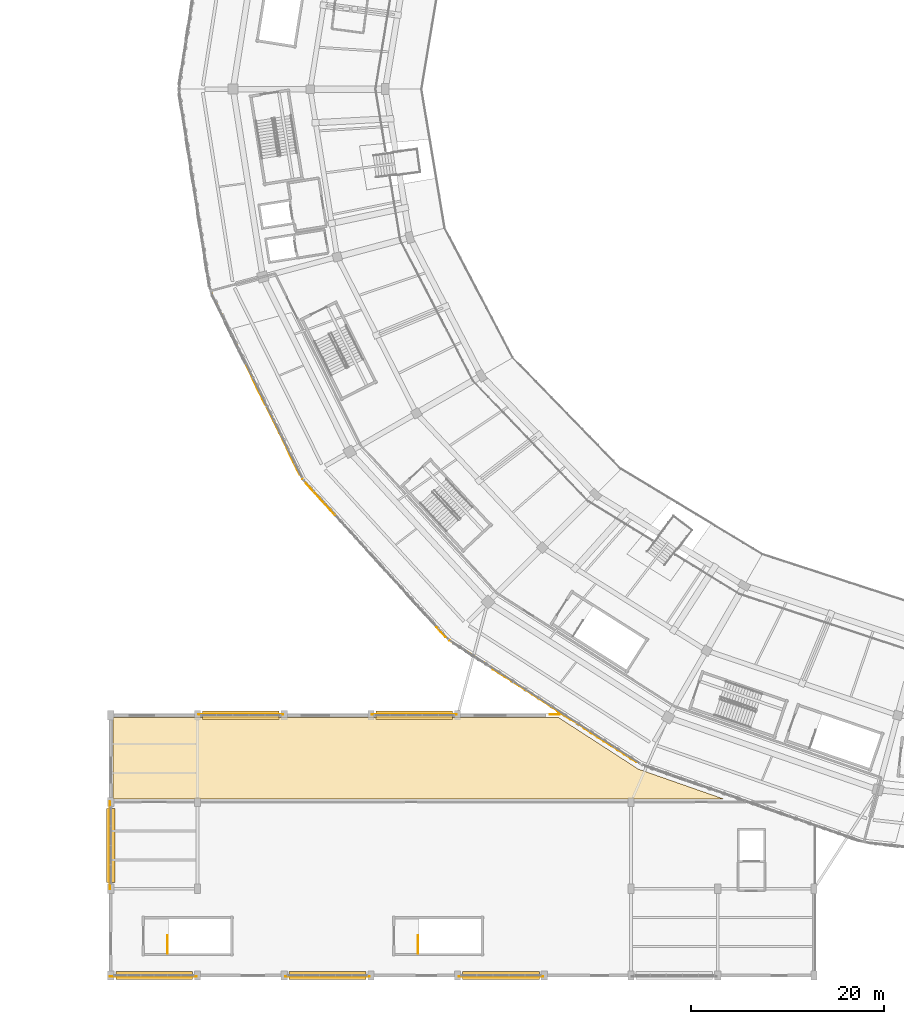
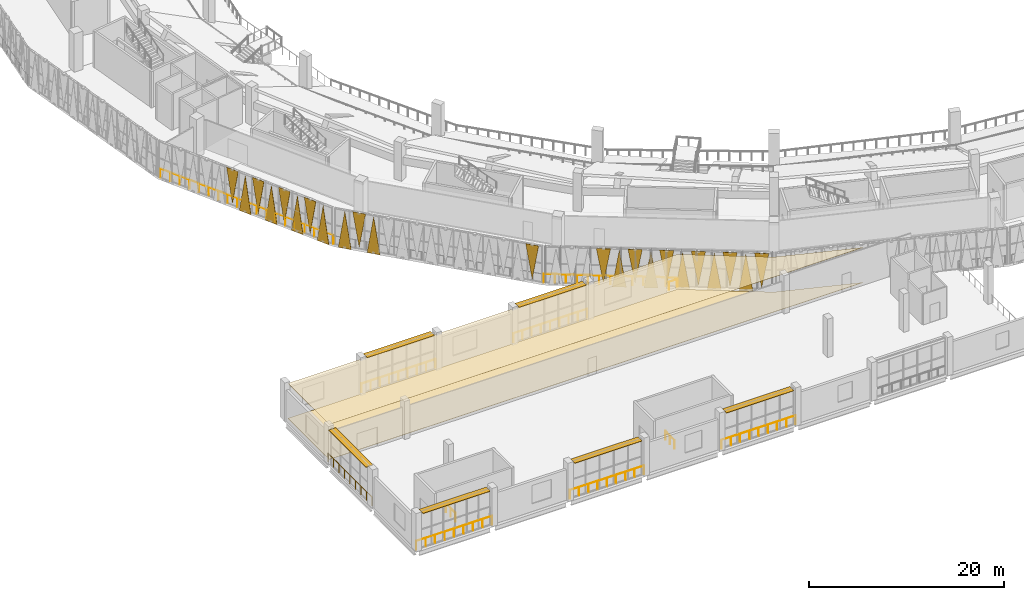
# One storey, part 111 of 152: 25 coverings, 11 railings, 6 shading devices.
"""IFC4 building model written with IfcOpenShell, lengths in metres."""

import ifcopenshell
import ifcopenshell.guid

model = None  # the IFC model being written
_history = None  # IfcOwnerHistory: only IFC2X3 demands one
_inside = {}  # id of a spatial element -> (the spatial element, [elements in it])
_under = {}  # id of a project, library or spatial element -> (it, [spatial elements below it])
_declared = {}  # id of a project -> (the project, [libraries it declares])
_typed = {}  # id of a type object -> (the type object, [elements of that type])
_made_of = {}  # id of a material, layer set ... -> (it, [elements and type objects made of it])


def new_model(schema):
    """Start an empty IFC model of exactly this schema.

    Asked for "IFC4X3", IfcOpenShell would pick the latest addendum, in which some entities
    have other attributes; the version numbers below select the first issue.
    IFC2X3 requires an IfcOwnerHistory on every rooted entity: one is made here for all.
    """
    global model, _history
    if schema == "IFC4X3":
        model = ifcopenshell.file(schema_version=(4, 3, 0, 0))
    else:
        model = ifcopenshell.file(schema=schema)
    _inside.clear()
    _under.clear()
    _declared.clear()
    _typed.clear()
    _made_of.clear()
    _history = None
    if model.schema == "IFC2X3":
        org = make("IfcOrganization", Name="unknown")
        user = make(
            "IfcPersonAndOrganization",
            ThePerson=make("IfcPerson", FamilyName="unknown"),
            TheOrganization=org,
        )
        app = make(
            "IfcApplication",
            ApplicationDeveloper=org,
            Version="unknown",
            ApplicationFullName="unknown",
            ApplicationIdentifier="unknown",
        )
        _history = make(
            "IfcOwnerHistory",
            OwningUser=user,
            OwningApplication=app,
            ChangeAction="ADDED",
            CreationDate=0,
        )
    return model


def make(cls, **values):
    """One entity of the class cls with the attributes given. An attribute that is None is left unset."""
    return model.create_entity(
        cls, **{name: value for name, value in values.items() if value is not None}
    )


def rooted(cls, **values):
    """An entity with a GlobalId (a new one), such as an element, a storey or a relation."""
    return make(cls, GlobalId=ifcopenshell.guid.new(), OwnerHistory=_history, **values)


def si_unit(unit_type, name, prefix=None):
    """IfcSIUnit, for example si_unit("LENGTHUNIT", "METRE", prefix="MILLI")."""
    return make("IfcSIUnit", UnitType=unit_type, Prefix=prefix, Name=name)


def assignment(units):
    """IfcUnitAssignment: the units of a project."""
    return None if units is None else make("IfcUnitAssignment", Units=units)


def point(xyz):
    """IfcCartesianPoint."""
    return None if xyz is None else make("IfcCartesianPoint", Coordinates=xyz)


def direction(xyz):
    """IfcDirection."""
    return None if xyz is None else make("IfcDirection", DirectionRatios=xyz)


def frame(location, z_axis=None, x_axis=None):
    """IfcAxis2Placement3D, a coordinate frame: its origin and axes. An axis left out is left unset."""
    return make(
        "IfcAxis2Placement3D",
        Location=point(location),
        Axis=direction(z_axis),
        RefDirection=direction(x_axis),
    )


def frame_2d(location, x_axis=None):
    """IfcAxis2Placement2D, a coordinate frame in the plane: its origin and x axis."""
    return make(
        "IfcAxis2Placement2D", Location=point(location), RefDirection=direction(x_axis)
    )


def origin():
    """The frame at (0, 0, 0) with its axes left unset."""
    return frame((0.0, 0.0, 0.0))


def origin_2d():
    """The frame at (0, 0) in the plane with its x axis left unset."""
    return frame_2d((0.0, 0.0))


def place(relative_to, where):
    """IfcLocalPlacement: puts the frame where relative to a parent placement (None: the world)."""
    return make(
        "IfcLocalPlacement", PlacementRelTo=relative_to, RelativePlacement=where
    )


def context(
    kind, dimensions, precision=None, world=None, true_north=None, identifier=None
):
    """IfcGeometricRepresentationContext, for example the 3D "Model" context."""
    return make(
        "IfcGeometricRepresentationContext",
        ContextIdentifier=identifier,
        ContextType=kind,
        CoordinateSpaceDimension=dimensions,
        Precision=precision,
        WorldCoordinateSystem=world,
        TrueNorth=true_north,
    )


def subcontext(parent, identifier, kind, view, scale=None):
    """IfcGeometricRepresentationSubContext, for example "Body" below "Model"."""
    return make(
        "IfcGeometricRepresentationSubContext",
        ContextIdentifier=identifier,
        ContextType=kind,
        ParentContext=parent,
        TargetScale=scale,
        TargetView=view,
    )


def project(units=None, contexts=None):
    """IfcProject with its units and contexts."""
    return rooted(
        "IfcProject",
        Name="project",
        RepresentationContexts=contexts,
        UnitsInContext=assignment(units),
    )


def spatial(cls, under=None, at=None, **own):
    """A site, building, storey or space (cls), placed at a placement, below another one or the project."""
    s = rooted(cls, ObjectPlacement=at, **own)
    if under is not None:
        _under.setdefault(under.id(), (under, []))[1].append(s)
    return s


def polyline(points):
    """IfcPolyline through the points."""
    return make("IfcPolyline", Points=[point(p) for p in points])


def profile(cls, at=None, kind="AREA", **sizes):
    """A parametric profile (cls). Its sizes go by their IFC names, for example OverallWidth=200.0."""
    return make(cls, ProfileType=kind, Position=at, **sizes)


def rectangle(**sizes):
    """IfcRectangleProfileDef."""
    return profile("IfcRectangleProfileDef", **sizes)


def circle(**sizes):
    """IfcCircleProfileDef."""
    return profile("IfcCircleProfileDef", **sizes)


def outline(outer, holes=None, kind="AREA"):
    """IfcArbitraryClosedProfileDef: a profile drawn as a closed curve; with holes, ...WithVoids."""
    if holes is None:
        return make("IfcArbitraryClosedProfileDef", ProfileType=kind, OuterCurve=outer)
    return make(
        "IfcArbitraryProfileDefWithVoids",
        ProfileType=kind,
        OuterCurve=outer,
        InnerCurves=holes,
    )


def extrude(swept, where, along, depth):
    """IfcExtrudedAreaSolid: the profile swept, set in the frame where, extruded along a direction by depth."""
    return make(
        "IfcExtrudedAreaSolid",
        SweptArea=swept,
        Position=where,
        ExtrudedDirection=direction(along),
        Depth=depth,
    )


def shape(context_of_items, identifier, shape_type, items):
    """IfcShapeRepresentation: the items that make up one representation, for example the "Body"."""
    return make(
        "IfcShapeRepresentation",
        ContextOfItems=context_of_items,
        RepresentationIdentifier=identifier,
        RepresentationType=shape_type,
        Items=items,
    )


def material(Name=None, Category=None):
    """IfcMaterial."""
    return make("IfcMaterial", Name=Name, Category=Category)


def layer(
    of_material, thickness, ventilated=None, Name=None, Category=None, Priority=None
):
    """IfcMaterialLayer: one layer of a wall or slab, of a material (None: an air gap)."""
    return make(
        "IfcMaterialLayer",
        Material=of_material,
        LayerThickness=thickness,
        IsVentilated=ventilated,
        Name=Name,
        Category=Category,
        Priority=Priority,
    )


def layer_set(layers, Name=None):
    """IfcMaterialLayerSet."""
    return make("IfcMaterialLayerSet", MaterialLayers=layers, LayerSetName=Name)


def made_of(thing, what):
    """Note that an element or type object is made of a material, layer set ...; save() writes the relation."""
    if what is not None:
        _made_of.setdefault(what.id(), (what, []))[1].append(thing)
    return thing


def type_object(cls, material=None, **own):
    """A type object (cls), such as IfcWallType, which elements share."""
    return made_of(rooted(cls, **own), material)


def element(
    cls,
    number,
    at=None,
    inside=None,
    cuts=None,
    type_object=None,
    material=None,
    context=None,
    identifier="Body",
    shape_type=None,
    held_by="IfcProductDefinitionShape",
    body=None,
    shapes=None,
    **own,
):
    """One element of the class cls, such as IfcWall. Its Tag is "e" and its number.

    at: its placement. inside: the storey or other place that contains it. cuts: it is an
    opening in that element (IfcRelVoidsElement). A single representation is given by context,
    identifier, shape_type and body (its items); several are given by shapes. held_by: the class
    of the entity that holds the representations. save() writes the other relations.
    """
    e = rooted(cls, Tag="e%d" % number, ObjectPlacement=at, **own)
    if body is not None:
        shapes = [shape(context, identifier, shape_type, body)]
    if shapes is not None:
        e.Representation = make(held_by, Representations=shapes)
    if inside is not None:
        _inside.setdefault(inside.id(), (inside, []))[1].append(e)
    if cuts is not None:
        rooted(
            "IfcRelVoidsElement", RelatingBuildingElement=cuts, RelatedOpeningElement=e
        )
    if type_object is not None:
        _typed.setdefault(type_object.id(), (type_object, []))[1].append(e)
    return made_of(e, material)


def aggregate(whole, parts):
    """IfcRelAggregates: a whole, such as a stair, and the parts it consists of."""
    return rooted("IfcRelAggregates", RelatingObject=whole, RelatedObjects=parts)


def save(model, path):
    """Write the relations noted so far, then the file.

    IfcRelAggregates (storeys below a building ...), IfcRelContainedInSpatialStructure (elements
    in a storey), IfcRelDefinesByType, IfcRelAssociatesMaterial and IfcRelDeclares: one each for
    every whole, place, type object, material and project.
    """
    for whole, parts in _under.values():
        aggregate(whole, parts)
    for where, things in _inside.values():
        rooted(
            "IfcRelContainedInSpatialStructure",
            RelatedElements=things,
            RelatingStructure=where,
        )
    for kind, things in _typed.values():
        rooted("IfcRelDefinesByType", RelatedObjects=things, RelatingType=kind)
    for what, things in _made_of.values():
        rooted("IfcRelAssociatesMaterial", RelatedObjects=things, RelatingMaterial=what)
    for by, libraries in _declared.values():
        rooted("IfcRelDeclares", RelatingContext=by, RelatedDefinitions=libraries)
    model.write(path)


model = new_model("IFC4")

# Units and contexts
model_context = context("Model", 3, precision=1e-05, world=origin(), true_north=direction((0.0, 1.0)))
body_context = subcontext(model_context, "Body", "Model", "MODEL_VIEW")
ifc_project = project(units=[si_unit("LENGTHUNIT", "METRE"), si_unit("AREAUNIT", "SQUARE_METRE"), si_unit("VOLUMEUNIT", "CUBIC_METRE"), si_unit("PLANEANGLEUNIT", "RADIAN"), si_unit("MASSUNIT", "GRAM", prefix="KILO")], contexts=[model_context])

# Site, building, storey
site_placement = place(None, origin())
site = spatial("IfcSite", under=ifc_project, at=site_placement, CompositionType="ELEMENT")
building_placement = place(site_placement, origin())
building = spatial("IfcBuilding", under=site, at=building_placement, Name="Zevraka Park Crest Stadium", CompositionType="ELEMENT")
storey_placement = place(building_placement, frame((0.0, 0.0, 15.0)))
storey = spatial("IfcBuildingStorey", under=building, at=storey_placement, Name="L03", CompositionType="ELEMENT", Elevation=15.0)

# Coverings
ifc_material_1 = material(Name="Architectural golden-bronze perforated aluminium", Category="aluminium")
ifc_layer_1 = layer(ifc_material_1, 0.034912109375)
ifc_layer_set_1 = layer_set([ifc_layer_1], Name="Architectural golden-bronze perforated aluminium")
covering_type_1 = type_object("IfcCoveringType", Name="CLD01", PredefinedType="CLADDING", material=ifc_layer_set_1)
covering_1_placement = place(storey_placement, frame((23.677978515625, 62.06005859375, 4.52001953125), z_axis=(-0.897581304025, -0.440848949962, 7.7343744e-05), x_axis=(-0.440848951281, 0.89758130671, 0.0)))
element("IfcCovering", 1, at=covering_1_placement, inside=storey, type_object=covering_type_1, Name="Triangular Golden-Bronze Perforated Cladding L03-13-6", PredefinedType="CLADDING", context=body_context, shape_type="SweptSolid", body=[
    extrude(outline(polyline([(0.0, 0.0), (1.4448551794759075, 0.0), (0.7231349347066114, 4.300048840986565), (0.0, 0.0)])), origin(), (0.0, 0.0, -1.0), 0.034912109375),
])
covering_2_placement = place(storey_placement, frame((23.748046875, 61.916015625, -0.260009765625), z_axis=(0.897449823133, 0.441116538913, 0.000118559742), x_axis=(0.441116542014, -0.89744982944, 0.0)))
element("IfcCovering", 2, at=covering_2_placement, inside=storey, type_object=covering_type_1, Name="Triangular Golden-Bronze Perforated Cladding L03-13-7", PredefinedType="CLADDING", context=body_context, shape_type="SweptSolid", body=[
    extrude(outline(polyline([(0.0, 0.0), (1.4439786994094814, 0.0), (0.7217201135340781, -4.620117219971137), (0.0, 0.0)])), origin(), (0.0, 0.0, -1.0), 0.034912109375),
])
covering_3_placement = place(storey_placement, frame((25.092041015625, 59.178955078125, 4.52001953125), z_axis=(0.897614138564, 0.440782098158, 1.3879859e-05), x_axis=(-0.440782098201, 0.897614138651, 0.0)))
element("IfcCovering", 3, at=covering_3_placement, inside=storey, type_object=covering_type_1, Name="Triangular Golden-Bronze Perforated Cladding L03-13-8", PredefinedType="CLADDING", context=body_context, shape_type="SweptSolid", body=[
    extrude(outline(polyline([(0.0, 0.0), (1.4450743195452247, 0.0), (0.7218278803551496, -4.300048828539204), (0.0, 0.0)])), origin(), (0.0, 0.0, -1.0), 0.034912109375),
])
covering_4_placement = place(storey_placement, frame((25.1630859375, 59.034912109375, -0.260009765625), z_axis=(-0.897848668856, -0.440304175898, 2.2811457e-05), x_axis=(0.440304176012, -0.89784866909, 0.0)))
element("IfcCovering", 4, at=covering_4_placement, inside=storey, type_object=covering_type_1, Name="Triangular Golden-Bronze Perforated Cladding L03-13-9", PredefinedType="CLADDING", context=body_context, shape_type="SweptSolid", body=[
    extrude(outline(polyline([(0.0, 0.0), (1.4444249288858595, -1.6940658945086007e-21), (0.7217203137041149, 4.620117188702069), (0.0, 0.0)])), origin(), (0.0, 0.0, -1.0), 0.034912109375),
])
covering_5_placement = place(storey_placement, frame((26.507080078125, 56.298095703125, 4.52001953125), z_axis=(-0.897581292576, -0.440848944339, 0.000177462733), x_axis=(-0.440848951281, 0.89758130671, 0.0)))
element("IfcCovering", 5, at=covering_5_placement, inside=storey, type_object=covering_type_1, Name="Triangular Golden-Bronze Perforated Cladding L03-13-10", PredefinedType="CLADDING", context=body_context, shape_type="SweptSolid", body=[
    extrude(outline(polyline([(0.0, 0.0), (1.4448551794759072, 1.3552527156068805e-20), (0.7222583904617778, 4.300048895835768), (0.0, 0.0)])), origin(), (0.0, 0.0, -1.0), 0.034912109375),
])
covering_6_placement = place(storey_placement, frame((26.576904296875, 56.154052734375, -0.260009765625), z_axis=(-0.897547278624, -0.440918200115, 0.00015310664), x_axis=(0.440918205283, -0.897547289144, 0.0)))
element("IfcCovering", 6, at=covering_6_placement, inside=storey, type_object=covering_type_1, Name="Triangular Golden-Bronze Perforated Cladding L03-13-11", PredefinedType="CLADDING", context=body_context, shape_type="SweptSolid", body=[
    extrude(outline(polyline([(0.0, 0.0), (1.4451819489774211, 1.3552527156068805e-20), (0.7222584471907869, 4.62011724165157), (0.0, 0.0)])), origin(), (0.0, 0.0, -1.0), 0.034912109375),
])
covering_7_placement = place(storey_placement, frame((27.9208984375, 53.416015625, 4.52001953125), z_axis=(0.897581292576, 0.440848944339, 0.000177462733), x_axis=(-0.440848951281, 0.89758130671, 0.0)))
element("IfcCovering", 7, at=covering_7_placement, inside=storey, type_object=covering_type_1, Name="Triangular Golden-Bronze Perforated Cladding L03-13-12", PredefinedType="CLADDING", context=body_context, shape_type="SweptSolid", body=[
    extrude(outline(polyline([(0.0, 0.0), (1.4448551794759072, 1.3552527156068805e-20), (0.7225967890141295, -4.300048895835768), (0.0, 0.0)])), origin(), (0.0, 0.0, -1.0), 0.034912109375),
])
covering_8_placement = place(storey_placement, frame((27.991943359375, 53.27294921875, -0.260009765625), z_axis=(0.897848668856, 0.440304175898, 2.2811457e-05), x_axis=(0.440304176012, -0.89784866909, 0.0)))
element("IfcCovering", 8, at=covering_8_placement, inside=storey, type_object=covering_type_1, Name="Triangular Golden-Bronze Perforated Cladding L03-13-13", PredefinedType="CLADDING", context=body_context, shape_type="SweptSolid", body=[
    extrude(outline(polyline([(0.0, 0.0), (1.4444249288858595, -1.6940658945086007e-21), (0.7227046151817446, -4.620117188702069), (0.0, 0.0)])), origin(), (0.0, 0.0, -1.0), 0.034912109375),
])
covering_9_placement = place(storey_placement, frame((29.218994140625, 51.10791015625, -0.260009765625), z_axis=(-0.740003442257, -0.672603081417, 1.7771166e-05), x_axis=(0.672603081524, -0.740003442374, 0.0)))
element("IfcCovering", 9, at=covering_9_placement, inside=storey, type_object=covering_type_1, Name="Triangular Golden-Bronze Perforated Cladding L03-14-1", PredefinedType="CLADDING", context=body_context, shape_type="SweptSolid", body=[
    extrude(outline(polyline([(0.0, 0.0), (1.394564353058445, 0.0), (0.6971918440777609, 4.620117188229551), (0.0, 0.0)])), origin(), (0.0, 0.0, -1.0), 0.034912109375),
])
covering_10_placement = place(storey_placement, frame((31.2041015625, 48.925048828125, 4.52001953125), z_axis=(-0.73956786161, -0.67308198808, 0.000124082249), x_axis=(-0.673081993261, 0.739567867303, 0.0)))
element("IfcCovering", 10, at=covering_10_placement, inside=storey, type_object=covering_type_1, Name="Triangular Golden-Bronze Perforated Cladding L03-14-2", PredefinedType="CLADDING", context=body_context, shape_type="SweptSolid", body=[
    extrude(outline(polyline([(0.0, 0.0), (1.3953856941325256, 0.0), (0.6980133844318637, 4.300048861227647), (0.0, 0.0)])), origin(), (0.0, 0.0, -1.0), 0.034912109375),
])
covering_11_placement = place(storey_placement, frame((31.31201171875, 48.805908203125, -0.260009765625), z_axis=(-0.740003442257, -0.672603081417, 1.7771166e-05), x_axis=(0.672603081524, -0.740003442374, 0.0)))
element("IfcCovering", 11, at=covering_11_placement, inside=storey, type_object=covering_type_1, Name="Triangular Golden-Bronze Perforated Cladding L03-14-3", PredefinedType="CLADDING", context=body_context, shape_type="SweptSolid", body=[
    extrude(outline(polyline([(0.0, 0.0), (1.394564353058445, 0.0), (0.6971918440777609, 4.620117188229551), (0.0, 0.0)])), origin(), (0.0, 0.0, -1.0), 0.034912109375),
])
covering_12_placement = place(storey_placement, frame((43.760986328125, 35.115966796875, 4.52001953125), z_axis=(0.740003442239, 0.672603081401, 1.9093939e-05), x_axis=(-0.672603081524, 0.740003442374, 0.0)))
element("IfcCovering", 12, at=covering_12_placement, inside=storey, type_object=covering_type_1, Name="Triangular Golden-Bronze Perforated Cladding L03-14-14", PredefinedType="CLADDING", context=body_context, shape_type="SweptSolid", body=[
    extrude(outline(polyline([(0.0, 0.0), (1.394564353058445, 1.6940658945086007e-21), (0.6973725089806841, -4.300048828908853), (0.0, 0.0)])), origin(), (0.0, 0.0, -1.0), 0.034912109375),
])
covering_13_placement = place(storey_placement, frame((49.89306640625, 30.985107421875, 4.52001953125), z_axis=(0.543051202429, 0.839699576796, 0.000110766182), x_axis=(-0.839699581947, 0.543051205761, 0.0)))
element("IfcCovering", 13, at=covering_13_placement, inside=storey, type_object=covering_type_1, Name="Triangular Golden-Bronze Perforated Cladding L03-15-4", PredefinedType="CLADDING", context=body_context, shape_type="SweptSolid", body=[
    extrude(outline(polyline([(0.0, 0.0), (1.4674030580295612, 0.0), (0.7338641883459691, -4.300048854503966), (0.0, 0.0)])), origin(), (0.0, 0.0, -1.0), 0.034912109375),
])
covering_14_placement = place(storey_placement, frame((50.028076171875, 30.89794921875, -0.260009765625), z_axis=(-0.543899794, -0.839150171771, 5.748254e-05), x_axis=(0.839150173157, -0.543899794898, 0.0)))
element("IfcCovering", 14, at=covering_14_placement, inside=storey, type_object=covering_type_1, Name="Triangular Golden-Bronze Perforated Cladding L03-15-5", PredefinedType="CLADDING", context=body_context, shape_type="SweptSolid", body=[
    extrude(outline(polyline([(0.0, 0.0), (1.466909107125423, 0.0), (0.7338642948581983, 4.620117195132995), (0.0, 0.0)])), origin(), (0.0, 0.0, -1.0), 0.034912109375),
])
covering_15_placement = place(storey_placement, frame((52.6259765625, 29.216064453125, 4.52001953125), z_axis=(-0.543596081623, -0.839346948552, 0.0), x_axis=(-0.839346948552, 0.543596081623, 0.0)))
element("IfcCovering", 15, at=covering_15_placement, inside=storey, type_object=covering_type_1, Name="Triangular Golden-Bronze Perforated Cladding L03-15-6", PredefinedType="CLADDING", context=body_context, shape_type="SweptSolid", body=[
    extrude(outline(polyline([(0.0, 0.0), (1.4677286858249659, 0.0), (0.7338643429124829, 4.300048828125), (0.0, 0.0)])), origin(), (0.0, 0.0, -1.0), 0.034912109375),
])
covering_16_placement = place(storey_placement, frame((52.760009765625, 29.12890625, -0.260009765625), z_axis=(-0.543596081623, -0.839346948552, 0.0), x_axis=(0.839346948552, -0.543596081623, 0.0)))
element("IfcCovering", 16, at=covering_16_placement, inside=storey, type_object=covering_type_1, Name="Triangular Golden-Bronze Perforated Cladding L03-15-7", PredefinedType="CLADDING", context=body_context, shape_type="SweptSolid", body=[
    extrude(outline(polyline([(0.0, 0.0), (1.4677286858249659, 0.0), (0.7338643429124829, 4.620117187499999), (0.0, 0.0)])), origin(), (0.0, 0.0, -1.0), 0.034912109375),
])
covering_17_placement = place(storey_placement, frame((55.35791015625, 27.447021484375, 4.52001953125), z_axis=(-0.543713251999, -0.839271052183, 2.3825329e-05), x_axis=(-0.839271052422, 0.543713252153, 0.0)))
element("IfcCovering", 17, at=covering_17_placement, inside=storey, type_object=covering_type_1, Name="Triangular Golden-Bronze Perforated Cladding L03-15-8", PredefinedType="CLADDING", context=body_context, shape_type="SweptSolid", body=[
    extrude(outline(polyline([(0.0, 0.0), (1.4678614140157709, 0.0), (0.7338643357612846, 4.300048829345455), (0.0, 0.0)])), origin(), (0.0, 0.0, -1.0), 0.034912109375),
])
covering_18_placement = place(storey_placement, frame((55.491943359375, 27.360107421875, -0.260009765625), z_axis=(0.543637362716, 0.839320210959, 3.6539779e-05), x_axis=(0.839320211519, -0.543637363078, 0.0)))
element("IfcCovering", 18, at=covering_18_placement, inside=storey, type_object=covering_type_1, Name="Triangular Golden-Bronze Perforated Cladding L03-15-9", PredefinedType="CLADDING", context=body_context, shape_type="SweptSolid", body=[
    extrude(outline(polyline([(0.0, 0.0), (1.4680663201763386, 3.3881317890172014e-21), (0.7339970659904592, -4.6201171905842875), (0.0, 0.0)])), origin(), (0.0, 0.0, -1.0), 0.034912109375),
])
covering_19_placement = place(storey_placement, frame((58.090087890625, 25.677978515625, 4.52001953125), z_axis=(-0.543941018509, -0.839123449477, 7.0145532e-05), x_axis=(-0.839123451542, 0.543941019847, 0.0)))
element("IfcCovering", 19, at=covering_19_placement, inside=storey, type_object=covering_type_1, Name="Triangular Golden-Bronze Perforated Cladding L03-15-10", PredefinedType="CLADDING", context=body_context, shape_type="SweptSolid", body=[
    extrude(outline(polyline([(0.0, 0.0), (1.4672467675796603, 6.776263578034403e-21), (0.7338642809254232, 4.30004883870397), (0.0, 0.0)])), origin(), (0.0, 0.0, -1.0), 0.034912109375),
])
covering_20_placement = place(storey_placement, frame((58.22509765625, 25.591064453125, -0.260009765625), z_axis=(0.543244375941, 0.839574615926, 0.000110914), x_axis=(0.83957462109, -0.543244379282, 0.0)))
element("IfcCovering", 20, at=covering_20_placement, inside=storey, type_object=covering_type_1, Name="Triangular Golden-Bronze Perforated Cladding L03-15-11", PredefinedType="CLADDING", context=body_context, shape_type="SweptSolid", body=[
    extrude(outline(polyline([(0.0, 0.0), (1.4673306729433993, 0.0), (0.7339969065274139, -4.620117215918146), (0.0, 0.0)])), origin(), (0.0, 0.0, -1.0), 0.034912109375),
])
covering_21_placement = place(storey_placement, frame((60.822998046875, 23.908935546875, 4.52001953125), z_axis=(0.543713251999, 0.839271052183, 2.3825329e-05), x_axis=(-0.839271052422, 0.543713252153, 0.0)))
element("IfcCovering", 21, at=covering_21_placement, inside=storey, type_object=covering_type_1, Name="Triangular Golden-Bronze Perforated Cladding L03-15-12", PredefinedType="CLADDING", context=body_context, shape_type="SweptSolid", body=[
    extrude(outline(polyline([(0.0, 0.0), (1.4678614140157709, 0.0), (0.7339970782544862, -4.300048829345455), (0.0, 0.0)])), origin(), (0.0, 0.0, -1.0), 0.034912109375),
])
covering_22_placement = place(storey_placement, frame((60.95703125, 23.822021484375, -0.260009765625), z_axis=(0.543244378079, 0.839574619231, 6.65484e-05), x_axis=(0.83957462109, -0.543244379282, 0.0)))
element("IfcCovering", 22, at=covering_22_placement, inside=storey, type_object=covering_type_1, Name="Triangular Golden-Bronze Perforated Cladding L03-15-13", PredefinedType="CLADDING", context=body_context, shape_type="SweptSolid", body=[
    extrude(outline(polyline([(0.0, 0.0), (1.4673306729433993, 6.776263578034403e-21), (0.7338642785051281, -4.620117197730533), (0.0, 0.0)])), origin(), (0.0, 0.0, -1.0), 0.034912109375),
])
covering_23_placement = place(storey_placement, frame((63.554931640625, 22.139892578125, 4.52001953125), z_axis=(0.543713251999, 0.839271052183, 2.3825329e-05), x_axis=(-0.839271052422, 0.543713252153, 0.0)))
element("IfcCovering", 23, at=covering_23_placement, inside=storey, type_object=covering_type_1, Name="Triangular Golden-Bronze Perforated Cladding L03-15-14", PredefinedType="CLADDING", context=body_context, shape_type="SweptSolid", body=[
    extrude(outline(polyline([(0.0, 0.0), (1.4678614140157709, 0.0), (0.7339970782544862, -4.300048829345455), (0.0, 0.0)])), origin(), (0.0, 0.0, -1.0), 0.034912109375),
])
ifc_material_2 = material(Name="Perforated acoustic mineral-fibre suspended ceiling", Category="other")
ifc_layer_2 = layer(ifc_material_2, 0.02490234375)
ifc_layer_set_2 = layer_set([ifc_layer_2], Name="Perforated acoustic mineral-fibre suspended ceiling")
covering_type_2 = type_object("IfcCoveringType", Name="CLG01", PredefinedType="CEILING", material=ifc_layer_set_2)
covering_24_placement = place(storey_placement, frame((0.0, 0.0, 4.39990234375)))
element("IfcCovering", 24, at=covering_24_placement, inside=storey, type_object=covering_type_2, Name="Acoustic Ceiling South Upper Broadcast Production Gallery L03-063", PredefinedType="CEILING", context=body_context, shape_type="SweptSolid", body=[
    extrude(outline(polyline([(9.205078125, 26.794921875), (55.43701171875, 26.794921875), (63.72802734375, 21.431884765625), (63.7490234375, 21.419921875), (63.77099609375, 21.410888671875), (72.572021484375, 18.327880859375), (9.205078125, 18.300048828125), (9.205078125, 26.794921875)])), origin(), (0.0, 0.0, 1.0), 0.025146484375),
])
ifc_material_3 = material(Name="Honed terrazzo and slip-resistant sports flooring", Category="other")
ifc_layer_3 = layer(ifc_material_3, 0.0400390625)
ifc_layer_set_3 = layer_set([ifc_layer_3], Name="Honed terrazzo and slip-resistant sports flooring")
covering_type_3 = type_object("IfcCoveringType", Name="FLR01", PredefinedType="FLOORING", material=ifc_layer_set_3)
covering_25_placement = place(storey_placement, origin())
element("IfcCovering", 25, at=covering_25_placement, inside=storey, type_object=covering_type_3, Name="Terrazzo Floor Finish South Upper Broadcast Production Gallery L03-063", PredefinedType="FLOORING", context=body_context, shape_type="SweptSolid", body=[
    extrude(outline(polyline([(9.205078125, 26.794921875), (55.43701171875, 26.794921875), (63.72802734375, 21.431884765625), (63.7490234375, 21.419921875), (63.77099609375, 21.410888671875), (72.572021484375, 18.327880859375), (9.205078125, 18.300048828125), (9.205078125, 26.794921875)])), origin(), (0.0, 0.0, 1.0), 0.0400390625),
])

# Railings
ifc_material_4 = material(Name="Galvanised and bronze-finished steel balustrade", Category="steel")
railing_type_1 = type_object("IfcRailingType", Name="GR01", PredefinedType="GUARDRAIL", material=ifc_material_4)
for number, where, name in (
    (26, (53.884033203125, -0.10498046875, 0.0), "Deck Edge Protection Guardrail GR01 L03-36"),
    (27, (35.884033203125, -0.10498046875, 0.0), "Deck Edge Protection Guardrail GR01 L03-37"),
):
    element("IfcRailing", number, at=place(storey_placement, frame(where)), inside=storey, type_object=railing_type_1, Name=name, PredefinedType="GUARDRAIL", context=body_context, shape_type="SweptSolid", body=[
        extrude(circle(Radius=0.02392578125, at=origin_2d()), frame((0.0, 0.0, 1.076171875), z_axis=(-1.0, 0.0, 0.0), x_axis=(0.0, -1.0, 0.0)), (0.0, 0.0, 1.0), 8.76806640625),
        extrude(circle(Radius=0.02099609375, at=origin_2d()), origin(), (0.0, 0.0, 1.0), 1.052001953125),
        extrude(circle(Radius=0.02099609375, at=origin_2d()), frame((-1.095947265625, 0.0, 0.0)), (0.0, 0.0, 1.0), 1.052001953125),
        extrude(circle(Radius=0.02099609375, at=origin_2d()), frame((-2.19189453125, 0.0, 0.0)), (0.0, 0.0, 1.0), 1.052001953125),
        extrude(circle(Radius=0.02099609375, at=origin_2d()), frame((-3.2880859375, 0.0, 0.0)), (0.0, 0.0, 1.0), 1.052001953125),
        extrude(circle(Radius=0.02099609375, at=origin_2d()), frame((-4.384033203125, 0.0, 0.0)), (0.0, 0.0, 1.0), 1.052001953125),
        extrude(circle(Radius=0.02099609375, at=origin_2d()), frame((-5.47998046875, 0.0, 0.0)), (0.0, 0.0, 1.0), 1.052001953125),
        extrude(circle(Radius=0.02099609375, at=origin_2d()), frame((-6.576171875, 0.0, 0.0)), (0.0, 0.0, 1.0), 1.052001953125),
        extrude(circle(Radius=0.02099609375, at=origin_2d()), frame((-7.672119140625, 0.0, 0.0)), (0.0, 0.0, 1.0), 1.052001953125),
        extrude(circle(Radius=0.02099609375, at=origin_2d()), frame((-8.76806640625, 0.0, 0.0)), (0.0, 0.0, 1.0), 1.052001953125),
    ])
railing_1_placement = place(storey_placement, frame((17.884033203125, -0.10498046875, 0.0)))
element("IfcRailing", 28, at=railing_1_placement, inside=storey, type_object=railing_type_1, Name="Deck Edge Protection Guardrail GR01 L03-38", PredefinedType="GUARDRAIL", context=body_context, shape_type="SweptSolid", body=[
    extrude(circle(Radius=0.02392578125, at=origin_2d()), frame((0.0, 0.0, 1.076171875), z_axis=(-1.0, 0.0, 0.0), x_axis=(0.0, -1.0, 0.0)), (0.0, 0.0, 1.0), 8.989013671875),
    extrude(circle(Radius=0.02099609375, at=origin_2d()), origin(), (0.0, 0.0, 1.0), 1.052001953125),
    extrude(circle(Radius=0.02099609375, at=origin_2d()), frame((-1.12353515625, 0.0, 0.0)), (0.0, 0.0, 1.0), 1.052001953125),
    extrude(circle(Radius=0.02099609375, at=origin_2d()), frame((-2.247314453125, 0.0, 0.0)), (0.0, 0.0, 1.0), 1.052001953125),
    extrude(circle(Radius=0.02099609375, at=origin_2d()), frame((-3.370849609375, 0.0, 0.0)), (0.0, 0.0, 1.0), 1.052001953125),
    extrude(circle(Radius=0.02099609375, at=origin_2d()), frame((-4.49462890625, 0.0, 0.0)), (0.0, 0.0, 1.0), 1.052001953125),
    extrude(circle(Radius=0.02099609375, at=origin_2d()), frame((-5.6181640625, 0.0, 0.0)), (0.0, 0.0, 1.0), 1.052001953125),
    extrude(circle(Radius=0.02099609375, at=origin_2d()), frame((-6.74169921875, 0.0, 0.0)), (0.0, 0.0, 1.0), 1.052001953125),
    extrude(circle(Radius=0.02099609375, at=origin_2d()), frame((-7.865478515625, 0.0, 0.0)), (0.0, 0.0, 1.0), 1.052001953125),
    extrude(circle(Radius=0.02099609375, at=origin_2d()), frame((-8.989013671875, 0.0, 0.0)), (0.0, 0.0, 1.0), 1.052001953125),
])
railing_2_placement = place(storey_placement, frame((8.89501953125, 8.966064453125, 0.0)))
element("IfcRailing", 29, at=railing_2_placement, inside=storey, type_object=railing_type_1, Name="Deck Edge Protection Guardrail GR01 L03-39", PredefinedType="GUARDRAIL", context=body_context, shape_type="SweptSolid", body=[
    extrude(circle(Radius=0.02392578125, at=origin_2d()), frame((0.0, 0.0, 1.076171875), z_axis=(0.0, 1.0, 0.0), x_axis=(-1.0, 0.0, 0.0)), (0.0, 0.0, 1.0), 9.06787109375),
    extrude(circle(Radius=0.02099609375, at=origin_2d()), origin(), (0.0, 0.0, 1.0), 1.052001953125),
    extrude(circle(Radius=0.02099609375, at=origin_2d()), frame((0.0, 1.133544921875, 0.0)), (0.0, 0.0, 1.0), 1.052001953125),
    extrude(circle(Radius=0.02099609375, at=origin_2d()), frame((0.0, 2.26708984375, 0.0)), (0.0, 0.0, 1.0), 1.052001953125),
    extrude(circle(Radius=0.02099609375, at=origin_2d()), frame((0.0, 3.400390625, 0.0)), (0.0, 0.0, 1.0), 1.052001953125),
    extrude(circle(Radius=0.02099609375, at=origin_2d()), frame((0.0, 4.533935546875, 0.0)), (0.0, 0.0, 1.0), 1.052001953125),
    extrude(circle(Radius=0.02099609375, at=origin_2d()), frame((0.0, 5.66748046875, 0.0)), (0.0, 0.0, 1.0), 1.052001953125),
    extrude(circle(Radius=0.02099609375, at=origin_2d()), frame((0.0, 6.80078125, 0.0)), (0.0, 0.0, 1.0), 1.052001953125),
    extrude(circle(Radius=0.02099609375, at=origin_2d()), frame((0.0, 7.934326171875, 0.0)), (0.0, 0.0, 1.0), 1.052001953125),
    extrude(circle(Radius=0.02099609375, at=origin_2d()), frame((0.0, 9.06787109375, 0.0)), (0.0, 0.0, 1.0), 1.052001953125),
])
for number, where, name in (
    (30, (18.115966796875, 27.10498046875, 0.0), "Deck Edge Protection Guardrail GR01 L03-40"),
    (31, (36.115966796875, 27.10498046875, 0.0), "Deck Edge Protection Guardrail GR01 L03-41"),
):
    element("IfcRailing", number, at=place(storey_placement, frame(where)), inside=storey, type_object=railing_type_1, Name=name, PredefinedType="GUARDRAIL", context=body_context, shape_type="SweptSolid", body=[
        extrude(circle(Radius=0.02392578125, at=origin_2d()), frame((0.0, 0.0, 1.076171875), z_axis=(1.0, 0.0, 0.0), x_axis=(0.0, 1.0, 0.0)), (0.0, 0.0, 1.0), 8.76806640625),
        extrude(circle(Radius=0.02099609375, at=origin_2d()), origin(), (0.0, 0.0, 1.0), 1.052001953125),
        extrude(circle(Radius=0.02099609375, at=origin_2d()), frame((1.095947265625, 0.0, 0.0)), (0.0, 0.0, 1.0), 1.052001953125),
        extrude(circle(Radius=0.02099609375, at=origin_2d()), frame((2.19189453125, 0.0, 0.0)), (0.0, 0.0, 1.0), 1.052001953125),
        extrude(circle(Radius=0.02099609375, at=origin_2d()), frame((3.2880859375, 0.0, 0.0)), (0.0, 0.0, 1.0), 1.052001953125),
        extrude(circle(Radius=0.02099609375, at=origin_2d()), frame((4.384033203125, 0.0, 0.0)), (0.0, 0.0, 1.0), 1.052001953125),
        extrude(circle(Radius=0.02099609375, at=origin_2d()), frame((5.47998046875, 0.0, 0.0)), (0.0, 0.0, 1.0), 1.052001953125),
        extrude(circle(Radius=0.02099609375, at=origin_2d()), frame((6.576171875, 0.0, 0.0)), (0.0, 0.0, 1.0), 1.052001953125),
        extrude(circle(Radius=0.02099609375, at=origin_2d()), frame((7.672119140625, 0.0, 0.0)), (0.0, 0.0, 1.0), 1.052001953125),
        extrude(circle(Radius=0.02099609375, at=origin_2d()), frame((8.76806640625, 0.0, 0.0)), (0.0, 0.0, 1.0), 1.052001953125),
    ])
railing_3_placement = place(storey_placement, frame((54.56591796875, 27.10498046875, 0.0)))
element("IfcRailing", 32, at=railing_3_placement, inside=storey, type_object=railing_type_1, Name="Deck Edge Protection Guardrail GR01 L03-42", PredefinedType="GUARDRAIL", context=body_context, shape_type="SweptSolid", body=[
    extrude(circle(Radius=0.02392578125, at=origin_2d()), frame((0.0, 0.0, 1.076171875), z_axis=(0.99999954627, 0.000952607332, 0.0), x_axis=(-0.000952607332, 0.99999954627, 0.0)), (0.0, 0.0, 1.0), 1.025146484375),
    extrude(circle(Radius=0.02099609375, at=origin_2d()), origin(), (0.0, 0.0, 1.0), 1.052001953125),
    extrude(circle(Radius=0.02099609375, at=origin_2d()), frame((1.025146484375, 0.0009765625, 0.0)), (0.0, 0.0, 1.0), 1.052001953125),
])
railing_4_placement = place(storey_placement, frame((55.64599609375, 27.343994140625, 0.0)))
element("IfcRailing", 33, at=railing_4_placement, inside=storey, type_object=railing_type_1, Name="Deck Edge Protection Guardrail GR01 L03-43", PredefinedType="GUARDRAIL", context=body_context, shape_type="SweptSolid", body=[
    extrude(circle(Radius=0.02392578125, at=origin_2d()), frame((0.0, 0.0, 1.076171875), z_axis=(-0.839416887497, 0.543488076213, 0.0), x_axis=(-0.543488076213, -0.839416887497, 0.0)), (0.0, 0.0, 1.0), 13.678466796875),
    extrude(circle(Radius=0.02099609375, at=origin_2d()), origin(), (0.0, 0.0, 1.0), 1.052001953125),
    extrude(circle(Radius=0.02099609375, at=origin_2d()), frame((-0.956787109375, 0.61962890625, 0.0)), (0.0, 0.0, 1.0), 1.052001953125),
    extrude(circle(Radius=0.02099609375, at=origin_2d()), frame((-1.91357421875, 1.239013671875, 0.0)), (0.0, 0.0, 1.0), 1.052001953125),
    extrude(circle(Radius=0.02099609375, at=origin_2d()), frame((-2.87060546875, 1.8583984375, 0.0)), (0.0, 0.0, 1.0), 1.052001953125),
    extrude(circle(Radius=0.02099609375, at=origin_2d()), frame((-3.827392578125, 2.47802734375, 0.0)), (0.0, 0.0, 1.0), 1.052001953125),
    extrude(circle(Radius=0.02099609375, at=origin_2d()), frame((-4.7841796875, 3.09765625, 0.0)), (0.0, 0.0, 1.0), 1.052001953125),
    extrude(circle(Radius=0.02099609375, at=origin_2d()), frame((-5.740966796875, 3.717041015625, 0.0)), (0.0, 0.0, 1.0), 1.052001953125),
    extrude(circle(Radius=0.02099609375, at=origin_2d()), frame((-6.69775390625, 4.33642578125, 0.0)), (0.0, 0.0, 1.0), 1.052001953125),
    extrude(circle(Radius=0.02099609375, at=origin_2d()), frame((-7.654541015625, 4.9560546875, 0.0)), (0.0, 0.0, 1.0), 1.052001953125),
    extrude(circle(Radius=0.02099609375, at=origin_2d()), frame((-8.611328125, 5.57568359375, 0.0)), (0.0, 0.0, 1.0), 1.052001953125),
    extrude(circle(Radius=0.02099609375, at=origin_2d()), frame((-9.568359375, 6.195068359375, 0.0)), (0.0, 0.0, 1.0), 1.052001953125),
    extrude(circle(Radius=0.02099609375, at=origin_2d()), frame((-10.525146484375, 6.814453125, 0.0)), (0.0, 0.0, 1.0), 1.052001953125),
    extrude(circle(Radius=0.02099609375, at=origin_2d()), frame((-11.48193359375, 7.43408203125, 0.0)), (0.0, 0.0, 1.0), 1.052001953125),
])
railing_5_placement = place(storey_placement, frame((28.919921875, 51.5400390625, 0.0)))
element("IfcRailing", 34, at=railing_5_placement, inside=storey, type_object=railing_type_1, Name="Deck Edge Protection Guardrail GR01 L03-45", PredefinedType="GUARDRAIL", context=body_context, shape_type="SweptSolid", body=[
    extrude(circle(Radius=0.02392578125, at=origin_2d()), frame((0.0, 0.0, 1.076171875), z_axis=(-0.440688915407, 0.897659890959, 0.0), x_axis=(-0.897659890959, -0.440688915407, 0.0)), (0.0, 0.0, 1.0), 21.382080078125),
    extrude(circle(Radius=0.02099609375, at=origin_2d()), origin(), (0.0, 0.0, 1.0), 1.052001953125),
    extrude(circle(Radius=0.02099609375, at=origin_2d()), frame((-0.5234375, 1.06640625, 0.0)), (0.0, 0.0, 1.0), 1.052001953125),
    extrude(circle(Radius=0.02099609375, at=origin_2d()), frame((-1.046875, 2.132568359375, 0.0)), (0.0, 0.0, 1.0), 1.052001953125),
    extrude(circle(Radius=0.02099609375, at=origin_2d()), frame((-1.570556640625, 3.198974609375, 0.0)), (0.0, 0.0, 1.0), 1.052001953125),
    extrude(circle(Radius=0.02099609375, at=origin_2d()), frame((-2.093994140625, 4.265380859375, 0.0)), (0.0, 0.0, 1.0), 1.052001953125),
    extrude(circle(Radius=0.02099609375, at=origin_2d()), frame((-2.617431640625, 5.33154296875, 0.0)), (0.0, 0.0, 1.0), 1.052001953125),
    extrude(circle(Radius=0.02099609375, at=origin_2d()), frame((-3.140869140625, 6.39794921875, 0.0)), (0.0, 0.0, 1.0), 1.052001953125),
    extrude(circle(Radius=0.02099609375, at=origin_2d()), frame((-3.66455078125, 7.46435546875, 0.0)), (0.0, 0.0, 1.0), 1.052001953125),
    extrude(circle(Radius=0.02099609375, at=origin_2d()), frame((-4.18798828125, 8.530517578125, 0.0)), (0.0, 0.0, 1.0), 1.052001953125),
    extrude(circle(Radius=0.02099609375, at=origin_2d()), frame((-4.71142578125, 9.596923828125, 0.0)), (0.0, 0.0, 1.0), 1.052001953125),
    extrude(circle(Radius=0.02099609375, at=origin_2d()), frame((-5.23486328125, 10.663330078125, 0.0)), (0.0, 0.0, 1.0), 1.052001953125),
    extrude(circle(Radius=0.02099609375, at=origin_2d()), frame((-5.75830078125, 11.7294921875, 0.0)), (0.0, 0.0, 1.0), 1.052001953125),
    extrude(circle(Radius=0.02099609375, at=origin_2d()), frame((-6.281982421875, 12.7958984375, 0.0)), (0.0, 0.0, 1.0), 1.052001953125),
    extrude(circle(Radius=0.02099609375, at=origin_2d()), frame((-6.805419921875, 13.8623046875, 0.0)), (0.0, 0.0, 1.0), 1.052001953125),
    extrude(circle(Radius=0.02099609375, at=origin_2d()), frame((-7.328857421875, 14.928466796875, 0.0)), (0.0, 0.0, 1.0), 1.052001953125),
    extrude(circle(Radius=0.02099609375, at=origin_2d()), frame((-7.852294921875, 15.994873046875, 0.0)), (0.0, 0.0, 1.0), 1.052001953125),
    extrude(circle(Radius=0.02099609375, at=origin_2d()), frame((-8.3759765625, 17.061279296875, 0.0)), (0.0, 0.0, 1.0), 1.052001953125),
    extrude(circle(Radius=0.02099609375, at=origin_2d()), frame((-8.8994140625, 18.12744140625, 0.0)), (0.0, 0.0, 1.0), 1.052001953125),
    extrude(circle(Radius=0.02099609375, at=origin_2d()), frame((-9.4228515625, 19.19384765625, 0.0)), (0.0, 0.0, 1.0), 1.052001953125),
])
ifc_material_5 = material(Name="Powder-coated tubular steel stairwell guard", Category="steel")
railing_type_2 = type_object("IfcRailingType", Name="GR03", PredefinedType="GUARDRAIL", material=ifc_material_5)
for number, where, name in (
    (35, (14.89990234375, 2.25, 0.0), "L03 ST51 top well guard 1"),
    (36, (40.89990234375, 2.25, 0.0), "L03 ST52 top well guard 1"),
):
    element("IfcRailing", number, at=place(storey_placement, frame(where)), inside=storey, type_object=railing_type_2, Name=name, PredefinedType="GUARDRAIL", context=body_context, shape_type="SweptSolid", body=[
        extrude(circle(Radius=0.02392578125, at=origin_2d()), frame((0.0, 0.0, 1.076171875), z_axis=(0.0, 1.0, 0.0), x_axis=(-1.0, 0.0, 0.0)), (0.0, 0.0, 1.0), 1.909912109375),
        extrude(circle(Radius=0.02099609375, at=origin_2d()), origin(), (0.0, 0.0, 1.0), 1.052001953125),
        extrude(circle(Radius=0.02099609375, at=origin_2d()), frame((0.0, 0.955078125, 0.0)), (0.0, 0.0, 1.0), 1.052001953125),
        extrude(circle(Radius=0.02099609375, at=origin_2d()), frame((0.0, 1.909912109375, 0.0)), (0.0, 0.0, 1.0), 1.052001953125),
    ])

# Shading devices
ifc_material_6 = material(Name="Architectural golden-bronze anodised bronze", Category="aluminium")
ifc_layer_4 = layer(ifc_material_6, 0.06005859375)
ifc_layer_set_4 = layer_set([ifc_layer_4], Name="Architectural golden-bronze anodised bronze")
shading_device_type = type_object("IfcShadingDeviceType", Name="SHD01", PredefinedType="USERDEFINED", material=ifc_layer_set_4)
for number, where, z_axis, x_axis, name in (
    (37, (49.5, 0.0, 4.4599609375), (0.0, 0.0, 1.0), (-1.0, 0.0, 0.0), "Wing Bronze Solar Screen SHD01 L03-SW-S3-4"),
    (38, (31.5, 0.0, 4.4599609375), (0.0, 0.0, 1.0), (-1.0, 0.0, 0.0), "Wing Bronze Solar Screen SHD01 L03-SW-S3-6"),
    (39, (13.5, 0.0, 4.4599609375), (0.0, 0.0, 1.0), (-1.0, 0.0, 0.0), "Wing Bronze Solar Screen SHD01 L03-SW-S3-8"),
):
    element("IfcShadingDevice", number, at=place(storey_placement, frame(where, z_axis=z_axis, x_axis=x_axis)), inside=storey, type_object=shading_device_type, Name=name, ObjectType="SOLAR SCREEN", PredefinedType="USERDEFINED", context=body_context, shape_type="SweptSolid", body=[
        extrude(rectangle(XDim=7.969970703125, YDim=0.85009765625, at=origin_2d()), origin(), (0.0, 0.0, 1.0), 0.06005859375),
    ])
shading_device_placement = place(storey_placement, frame((9.0, 13.5, 4.4599609375), z_axis=(0.0, 0.0, 1.0), x_axis=(0.0, 1.0, 0.0)))
element("IfcShadingDevice", 40, at=shading_device_placement, inside=storey, type_object=shading_device_type, Name="Wing Bronze Solar Screen SHD01 L03-SW-W-2", ObjectType="SOLAR SCREEN", PredefinedType="USERDEFINED", context=body_context, shape_type="SweptSolid", body=[
    extrude(rectangle(XDim=7.669921875, YDim=0.85009765625, at=origin_2d()), origin(), (0.0, 0.0, 1.0), 0.06005859375),
])
for number, where, z_axis, x_axis, name in (
    (41, (22.5, 27.0, 4.4599609375), (0.0, 0.0, 1.0), (1.0, 0.0, 0.0), "Wing Bronze Solar Screen SHD01 L03-SW-N-2"),
    (42, (40.5, 27.0, 4.4599609375), (0.0, 0.0, 1.0), (1.0, 0.0, 0.0), "Wing Bronze Solar Screen SHD01 L03-SW-N-4"),
):
    element("IfcShadingDevice", number, at=place(storey_placement, frame(where, z_axis=z_axis, x_axis=x_axis)), inside=storey, type_object=shading_device_type, Name=name, ObjectType="SOLAR SCREEN", PredefinedType="USERDEFINED", context=body_context, shape_type="SweptSolid", body=[
        extrude(rectangle(XDim=7.969970703125, YDim=0.85009765625, at=origin_2d()), origin(), (0.0, 0.0, 1.0), 0.06005859375),
    ])

save(model, "model.ifc")
